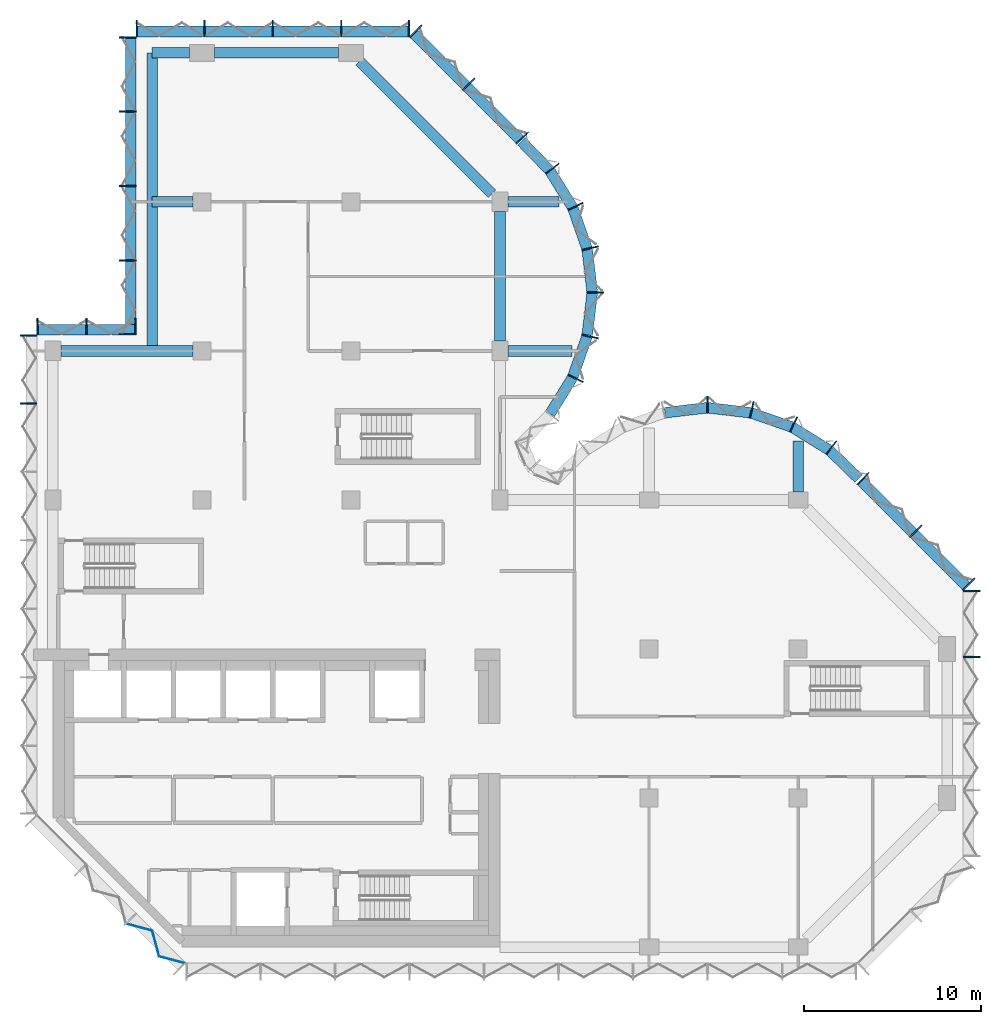
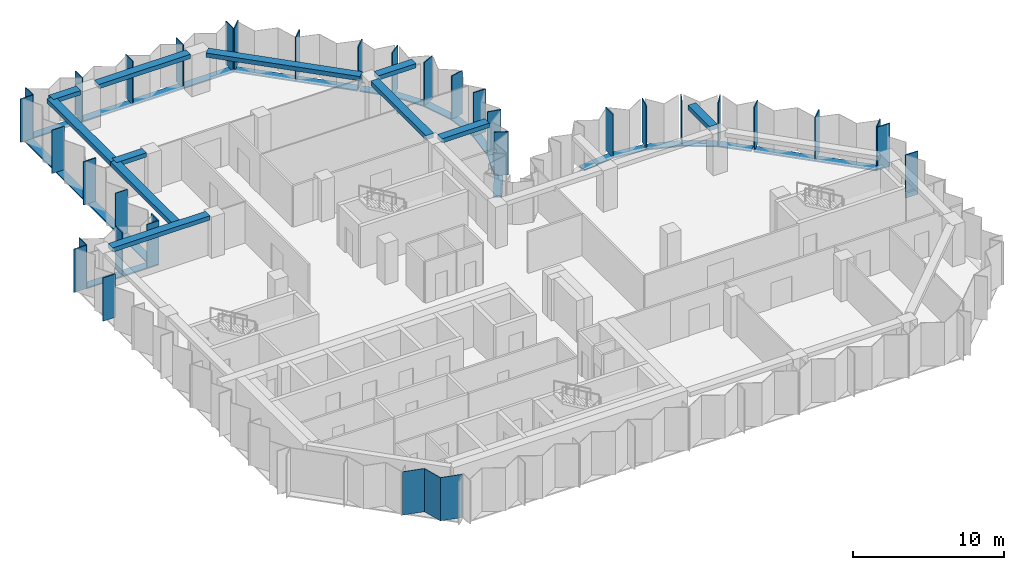
# One storey, part 2 of 9: 50 members, 11 beams, 1 plate, 10 elements without a shape of their own.
"""IFC4 building model written with IfcOpenShell, lengths in metres."""

from ifc_helpers import new_model, si_unit, direction, frame, origin, origin_2d, place, context, subcontext, project, spatial, polyline, rectangle, outline, extrude, material, layer, layer_set, material_profile, profile_set, type_object, element, aggregate, save


model = new_model("IFC4")

# Units and contexts
model_context = context("Model", 3, precision=1e-05, world=origin(), true_north=direction((0.0, 1.0)))
body_context = subcontext(model_context, "Body", "Model", "MODEL_VIEW")
ifc_project = project(units=[si_unit("LENGTHUNIT", "METRE"), si_unit("AREAUNIT", "SQUARE_METRE"), si_unit("VOLUMEUNIT", "CUBIC_METRE"), si_unit("PLANEANGLEUNIT", "RADIAN"), si_unit("MASSUNIT", "GRAM", prefix="KILO")], contexts=[model_context])

# Site, building, storey
site_placement = place(None, origin())
site = spatial("IfcSite", under=ifc_project, at=site_placement, CompositionType="ELEMENT")
building_placement = place(site_placement, origin())
building = spatial("IfcBuilding", under=site, at=building_placement, Name="Brevane Broadcast Tower", CompositionType="ELEMENT")
storey_placement = place(building_placement, frame((0.0, 0.0, 192.0)))
storey = spatial("IfcBuildingStorey", under=building, at=storey_placement, Name="L48", CompositionType="ELEMENT", Elevation=192.0)

# Curtain wall, members
ifc_material_1 = material(Name="Aluminium 6063-T6 bronze anodised", Category="aluminium")
curtain_wall_type = type_object("IfcCurtainWallType", Name="CW-1 curtain wall", PredefinedType="NOTDEFINED", material=ifc_material_1)
curtain_wall_1_placement = place(storey_placement, origin())
curtain_wall_1 = element("IfcCurtainWall", 1, at=curtain_wall_1_placement, inside=storey, type_object=curtain_wall_type, Name="CW-1 typical tilted unit L48 east end", PredefinedType="NOTDEFINED")
ifc_material_profile_1 = material_profile(ifc_material_1, rectangle(XDim=0.949951171875, YDim=0.070068359375, at=origin_2d()), Name="RECT 70x950")
ifc_profile_set_1 = profile_set([ifc_material_profile_1], Name="Aluminium 6063-T6 bronze anodised")
member_type_1 = type_object("IfcMemberType", Name="CW-1 mullion 70x950", PredefinedType="MULLION", material=ifc_profile_set_1)
member_1_placement = place(storey_placement, frame((51.77490234375, 16.35009765625, -0.14990234375), z_axis=(0.0, 0.0, 1.0), x_axis=(-1.0, 0.0, 0.0)))
member_1 = element("IfcMember", 2, at=member_1_placement, type_object=member_type_1, Name="CW-1 mullion", PredefinedType="MULLION", context=body_context, shape_type="SweptSolid", body=[
    extrude(rectangle(XDim=0.949951171875, YDim=0.070068359375, at=origin_2d()), origin(), (0.0, 0.0, 1.0), 3.5),
])
member_2_placement = place(storey_placement, frame((51.77490234375, 20.06494140625, -0.14990234375), z_axis=(0.0, 0.0, 1.0), x_axis=(-1.0, 0.0, 0.0)))
member_2 = element("IfcMember", 3, at=member_2_placement, type_object=member_type_1, Name="CW-1 mullion", PredefinedType="MULLION", context=body_context, shape_type="SweptSolid", body=[
    extrude(rectangle(XDim=0.949951171875, YDim=0.070068359375, at=origin_2d()), origin(), (0.0, 0.0, 1.0), 3.5),
])
aggregate(curtain_wall_1, [member_1, member_2])

curtain_wall_2_placement = place(storey_placement, origin())
curtain_wall_2 = element("IfcCurtainWall", 4, at=curtain_wall_2_placement, inside=storey, type_object=curtain_wall_type, Name="CW-1 typical tilted unit L48 north-east chamfer", PredefinedType="NOTDEFINED")
member_3_placement = place(storey_placement, frame((51.611083984375, 20.460693359375, -0.14990234375), z_axis=(0.0, 0.0, 1.0), x_axis=(-0.707106781187, -0.707106781187, 0.0)))
member_3 = element("IfcMember", 5, at=member_3_placement, type_object=member_type_1, Name="CW-1 mullion", PredefinedType="MULLION", context=body_context, shape_type="SweptSolid", body=[
    extrude(rectangle(XDim=0.949951171875, YDim=0.070068359375, at=origin_2d()), origin(), (0.0, 0.0, 1.0), 3.5),
])
member_4_placement = place(storey_placement, frame((48.635986328125, 23.435791015625, -0.14990234375), z_axis=(0.0, 0.0, 1.0), x_axis=(-0.707106781187, -0.707106781187, 0.0)))
member_4 = element("IfcMember", 6, at=member_4_placement, type_object=member_type_1, Name="CW-1 mullion", PredefinedType="MULLION", context=body_context, shape_type="SweptSolid", body=[
    extrude(rectangle(XDim=0.949951171875, YDim=0.070068359375, at=origin_2d()), origin(), (0.0, 0.0, 1.0), 3.5),
])
member_5_placement = place(storey_placement, frame((45.66064453125, 26.4111328125, -0.14990234375), z_axis=(0.0, 0.0, 1.0), x_axis=(-0.707106781187, -0.707106781187, 0.0)))
member_5 = element("IfcMember", 7, at=member_5_placement, type_object=member_type_1, Name="CW-1 mullion", PredefinedType="MULLION", context=body_context, shape_type="SweptSolid", body=[
    extrude(rectangle(XDim=0.949951171875, YDim=0.070068359375, at=origin_2d()), origin(), (0.0, 0.0, 1.0), 3.5),
])

curtain_wall_3_placement = place(storey_placement, origin())
curtain_wall_3 = element("IfcCurtainWall", 8, at=curtain_wall_3_placement, inside=storey, type_object=curtain_wall_type, Name="CW-1 typical tilted unit L48 east bow", PredefinedType="NOTDEFINED")
member_6_placement = place(storey_placement, frame((43.8720703125, 28.1455078125, -0.14990234375), z_axis=(0.0, 0.0, 1.0), x_axis=(-0.614769698862, -0.788706673841, 0.0)))
member_6 = element("IfcMember", 9, at=member_6_placement, type_object=member_type_1, Name="CW-1 mullion", PredefinedType="MULLION", context=body_context, shape_type="SweptSolid", body=[
    extrude(rectangle(XDim=0.949951171875, YDim=0.070068359375, at=origin_2d()), origin(), (0.0, 0.0, 1.0), 3.5),
])
member_7_placement = place(storey_placement, frame((41.746826171875, 29.4580078125, -0.14990234375), z_axis=(0.0, 0.0, 1.0), x_axis=(-0.429933580394, -0.902860518823, 0.0)))
member_7 = element("IfcMember", 10, at=member_7_placement, type_object=member_type_1, Name="CW-1 mullion", PredefinedType="MULLION", context=body_context, shape_type="SweptSolid", body=[
    extrude(rectangle(XDim=0.949951171875, YDim=0.070068359375, at=origin_2d()), origin(), (0.0, 0.0, 1.0), 3.5),
])
member_8_placement = place(storey_placement, frame((39.38818359375, 30.28076171875, -0.14990234375), z_axis=(0.0, 0.0, 1.0), x_axis=(-0.224806535479, -0.974403418306, 0.0)))
member_8 = element("IfcMember", 11, at=member_8_placement, type_object=member_type_1, Name="CW-1 mullion", PredefinedType="MULLION", context=body_context, shape_type="SweptSolid", body=[
    extrude(rectangle(XDim=0.949951171875, YDim=0.070068359375, at=origin_2d()), origin(), (0.0, 0.0, 1.0), 3.5),
])
member_9_placement = place(storey_placement, frame((36.89990234375, 30.574951171875, -0.14990234375), z_axis=(0.0, 0.0, 1.0), x_axis=(0.0, -1.0, 0.0)))
member_9 = element("IfcMember", 12, at=member_9_placement, type_object=member_type_1, Name="CW-1 mullion", PredefinedType="MULLION", context=body_context, shape_type="SweptSolid", body=[
    extrude(rectangle(XDim=0.949951171875, YDim=0.070068359375, at=origin_2d()), origin(), (0.0, 0.0, 1.0), 3.5),
])

curtain_wall_4_placement = place(storey_placement, origin())
curtain_wall_4 = element("IfcCurtainWall", 13, at=curtain_wall_4_placement, inside=storey, type_object=curtain_wall_type, Name="CW-1 typical tilted unit L48 north bow", PredefinedType="NOTDEFINED")
member_10_placement = place(storey_placement, frame((29.4580078125, 32.05322265625, -0.14990234375), z_axis=(0.0, 0.0, 1.0), x_axis=(-0.902860518823, 0.429933580394, 0.0)))
member_10 = element("IfcMember", 14, at=member_10_placement, type_object=member_type_1, Name="CW-1 mullion", PredefinedType="MULLION", context=body_context, shape_type="SweptSolid", body=[
    extrude(rectangle(XDim=0.949951171875, YDim=0.070068359375, at=origin_2d()), origin(), (0.0, 0.0, 1.0), 3.5),
])
member_11_placement = place(storey_placement, frame((30.28076171875, 34.411865234375, -0.14990234375), z_axis=(0.0, 0.0, 1.0), x_axis=(-0.974403418306, 0.224806535479, 0.0)))
member_11 = element("IfcMember", 15, at=member_11_placement, type_object=member_type_1, Name="CW-1 mullion", PredefinedType="MULLION", context=body_context, shape_type="SweptSolid", body=[
    extrude(rectangle(XDim=0.949951171875, YDim=0.070068359375, at=origin_2d()), origin(), (0.0, 0.0, 1.0), 3.5),
])
member_12_placement = place(storey_placement, frame((30.574951171875, 36.89990234375, -0.14990234375), z_axis=(0.0, 0.0, 1.0), x_axis=(-1.0, 0.0, 0.0)))
member_12 = element("IfcMember", 16, at=member_12_placement, type_object=member_type_1, Name="CW-1 mullion", PredefinedType="MULLION", context=body_context, shape_type="SweptSolid", body=[
    extrude(rectangle(XDim=0.949951171875, YDim=0.070068359375, at=origin_2d()), origin(), (0.0, 0.0, 1.0), 3.5),
])
member_13_placement = place(storey_placement, frame((30.28076171875, 39.38818359375, -0.14990234375), z_axis=(0.0, 0.0, 1.0), x_axis=(-0.974403418306, -0.224806535479, 0.0)))
member_13 = element("IfcMember", 17, at=member_13_placement, type_object=member_type_1, Name="CW-1 mullion", PredefinedType="MULLION", context=body_context, shape_type="SweptSolid", body=[
    extrude(rectangle(XDim=0.949951171875, YDim=0.070068359375, at=origin_2d()), origin(), (0.0, 0.0, 1.0), 3.5),
])
member_14_placement = place(storey_placement, frame((29.4580078125, 41.746826171875, -0.14990234375), z_axis=(0.0, 0.0, 1.0), x_axis=(-0.902860518823, -0.429933580394, 0.0)))
member_14 = element("IfcMember", 18, at=member_14_placement, type_object=member_type_1, Name="CW-1 mullion", PredefinedType="MULLION", context=body_context, shape_type="SweptSolid", body=[
    extrude(rectangle(XDim=0.949951171875, YDim=0.070068359375, at=origin_2d()), origin(), (0.0, 0.0, 1.0), 3.5),
])
member_15_placement = place(storey_placement, frame((28.1455078125, 43.8720703125, -0.14990234375), z_axis=(0.0, 0.0, 1.0), x_axis=(-0.788706673841, -0.614769698862, 0.0)))
member_15 = element("IfcMember", 19, at=member_15_placement, type_object=member_type_1, Name="CW-1 mullion", PredefinedType="MULLION", context=body_context, shape_type="SweptSolid", body=[
    extrude(rectangle(XDim=0.949951171875, YDim=0.070068359375, at=origin_2d()), origin(), (0.0, 0.0, 1.0), 3.5),
])
member_16_placement = place(storey_placement, frame((26.465087890625, 45.60595703125, -0.14990234375), z_axis=(0.0, 0.0, 1.0), x_axis=(-0.717253728729, -0.696812089895, 0.0)))
member_16 = element("IfcMember", 20, at=member_16_placement, type_object=member_type_1, Name="CW-1 mullion", PredefinedType="MULLION", context=body_context, shape_type="SweptSolid", body=[
    extrude(rectangle(XDim=0.949951171875, YDim=0.070068359375, at=origin_2d()), origin(), (0.0, 0.0, 1.0), 3.5),
])

curtain_wall_5_placement = place(storey_placement, origin())
curtain_wall_5 = element("IfcCurtainWall", 21, at=curtain_wall_5_placement, inside=storey, type_object=curtain_wall_type, Name="CW-1 typical tilted unit L48 north arm north-east chamfer", PredefinedType="NOTDEFINED")
member_17_placement = place(storey_placement, frame((23.435791015625, 48.635986328125, -0.14990234375), z_axis=(0.0, 0.0, 1.0), x_axis=(-0.707106781187, -0.707106781187, 0.0)))
member_17 = element("IfcMember", 22, at=member_17_placement, type_object=member_type_1, Name="CW-1 mullion", PredefinedType="MULLION", context=body_context, shape_type="SweptSolid", body=[
    extrude(rectangle(XDim=0.949951171875, YDim=0.070068359375, at=origin_2d()), origin(), (0.0, 0.0, 1.0), 3.5),
])
member_18_placement = place(storey_placement, frame((20.460693359375, 51.611083984375, -0.14990234375), z_axis=(0.0, 0.0, 1.0), x_axis=(-0.707106781187, -0.707106781187, 0.0)))
member_18 = element("IfcMember", 23, at=member_18_placement, type_object=member_type_1, Name="CW-1 mullion", PredefinedType="MULLION", context=body_context, shape_type="SweptSolid", body=[
    extrude(rectangle(XDim=0.949951171875, YDim=0.070068359375, at=origin_2d()), origin(), (0.0, 0.0, 1.0), 3.5),
])

curtain_wall_6_placement = place(storey_placement, origin())
curtain_wall_6 = element("IfcCurtainWall", 24, at=curtain_wall_6_placement, inside=storey, type_object=curtain_wall_type, Name="CW-1 typical tilted unit L48 north end", PredefinedType="NOTDEFINED")
member_19_placement = place(storey_placement, frame((20.06494140625, 51.77490234375, -0.14990234375), z_axis=(0.0, 0.0, 1.0), x_axis=(0.0, -1.0, 0.0)))
member_19 = element("IfcMember", 25, at=member_19_placement, type_object=member_type_1, Name="CW-1 mullion", PredefinedType="MULLION", context=body_context, shape_type="SweptSolid", body=[
    extrude(rectangle(XDim=0.949951171875, YDim=0.070068359375, at=origin_2d()), origin(), (0.0, 0.0, 1.0), 3.5),
])
member_20_placement = place(storey_placement, frame((16.25, 51.77490234375, -0.14990234375), z_axis=(0.0, 0.0, 1.0), x_axis=(0.0, -1.0, 0.0)))
member_20 = element("IfcMember", 26, at=member_20_placement, type_object=member_type_1, Name="CW-1 mullion", PredefinedType="MULLION", context=body_context, shape_type="SweptSolid", body=[
    extrude(rectangle(XDim=0.949951171875, YDim=0.070068359375, at=origin_2d()), origin(), (0.0, 0.0, 1.0), 3.5),
])
member_21_placement = place(storey_placement, frame((12.39990234375, 51.77490234375, -0.14990234375), z_axis=(0.0, 0.0, 1.0), x_axis=(0.0, -1.0, 0.0)))
member_21 = element("IfcMember", 27, at=member_21_placement, type_object=member_type_1, Name="CW-1 mullion", PredefinedType="MULLION", context=body_context, shape_type="SweptSolid", body=[
    extrude(rectangle(XDim=0.949951171875, YDim=0.070068359375, at=origin_2d()), origin(), (0.0, 0.0, 1.0), 3.5),
])
member_22_placement = place(storey_placement, frame((8.550048828125, 51.77490234375, -0.14990234375), z_axis=(0.0, 0.0, 1.0), x_axis=(0.0, -1.0, 0.0)))
member_22 = element("IfcMember", 28, at=member_22_placement, type_object=member_type_1, Name="CW-1 mullion", PredefinedType="MULLION", context=body_context, shape_type="SweptSolid", body=[
    extrude(rectangle(XDim=0.949951171875, YDim=0.070068359375, at=origin_2d()), origin(), (0.0, 0.0, 1.0), 3.5),
])
member_23_placement = place(storey_placement, frame((4.735107421875, 51.77490234375, -0.14990234375), z_axis=(0.0, 0.0, 1.0), x_axis=(0.0, -1.0, 0.0)))
member_23 = element("IfcMember", 29, at=member_23_placement, type_object=member_type_1, Name="CW-1 mullion", PredefinedType="MULLION", context=body_context, shape_type="SweptSolid", body=[
    extrude(rectangle(XDim=0.949951171875, YDim=0.070068359375, at=origin_2d()), origin(), (0.0, 0.0, 1.0), 3.5),
])

curtain_wall_7_placement = place(storey_placement, origin())
curtain_wall_7 = element("IfcCurtainWall", 30, at=curtain_wall_7_placement, inside=storey, type_object=curtain_wall_type, Name="CW-1 typical tilted unit L48 north wing west face, lower block", PredefinedType="NOTDEFINED")
member_24_placement = place(storey_placement, frame((4.22509765625, 51.264892578125, -0.14990234375), z_axis=(0.0, 0.0, 1.0), x_axis=(1.0, 0.0, 0.0)))
member_24 = element("IfcMember", 31, at=member_24_placement, type_object=member_type_1, Name="CW-1 mullion", PredefinedType="MULLION", context=body_context, shape_type="SweptSolid", body=[
    extrude(rectangle(XDim=0.949951171875, YDim=0.070068359375, at=origin_2d()), origin(), (0.0, 0.0, 1.0), 3.5),
])
member_25_placement = place(storey_placement, frame((4.22509765625, 47.10009765625, -0.14990234375), z_axis=(0.0, 0.0, 1.0), x_axis=(1.0, 0.0, 0.0)))
member_25 = element("IfcMember", 32, at=member_25_placement, type_object=member_type_1, Name="CW-1 mullion", PredefinedType="MULLION", context=body_context, shape_type="SweptSolid", body=[
    extrude(rectangle(XDim=0.949951171875, YDim=0.070068359375, at=origin_2d()), origin(), (0.0, 0.0, 1.0), 3.5),
])
member_26_placement = place(storey_placement, frame((4.22509765625, 42.89990234375, -0.14990234375), z_axis=(0.0, 0.0, 1.0), x_axis=(1.0, 0.0, 0.0)))
member_26 = element("IfcMember", 33, at=member_26_placement, type_object=member_type_1, Name="CW-1 mullion", PredefinedType="MULLION", context=body_context, shape_type="SweptSolid", body=[
    extrude(rectangle(XDim=0.949951171875, YDim=0.070068359375, at=origin_2d()), origin(), (0.0, 0.0, 1.0), 3.5),
])
member_27_placement = place(storey_placement, frame((4.22509765625, 38.699951171875, -0.14990234375), z_axis=(0.0, 0.0, 1.0), x_axis=(1.0, 0.0, 0.0)))
member_27 = element("IfcMember", 34, at=member_27_placement, type_object=member_type_1, Name="CW-1 mullion", PredefinedType="MULLION", context=body_context, shape_type="SweptSolid", body=[
    extrude(rectangle(XDim=0.949951171875, YDim=0.070068359375, at=origin_2d()), origin(), (0.0, 0.0, 1.0), 3.5),
])
member_28_placement = place(storey_placement, frame((4.22509765625, 34.534912109375, -0.14990234375), z_axis=(0.0, 0.0, 1.0), x_axis=(1.0, 0.0, 0.0)))
member_28 = element("IfcMember", 35, at=member_28_placement, type_object=member_type_1, Name="CW-1 mullion", PredefinedType="MULLION", context=body_context, shape_type="SweptSolid", body=[
    extrude(rectangle(XDim=0.949951171875, YDim=0.070068359375, at=origin_2d()), origin(), (0.0, 0.0, 1.0), 3.5),
])

curtain_wall_8_placement = place(storey_placement, origin())
curtain_wall_8 = element("IfcCurtainWall", 36, at=curtain_wall_8_placement, inside=storey, type_object=curtain_wall_type, Name="CW-1 typical tilted unit L48 north wing west return, lower block", PredefinedType="NOTDEFINED")
member_29_placement = place(storey_placement, frame((4.6650390625, 34.97509765625, -0.14990234375), z_axis=(0.0, 0.0, 1.0), x_axis=(0.0, -1.0, 0.0)))
member_29 = element("IfcMember", 37, at=member_29_placement, type_object=member_type_1, Name="CW-1 mullion", PredefinedType="MULLION", context=body_context, shape_type="SweptSolid", body=[
    extrude(rectangle(XDim=0.949951171875, YDim=0.070068359375, at=origin_2d()), origin(), (0.0, 0.0, 1.0), 3.5),
])
member_30_placement = place(storey_placement, frame((1.89990234375, 34.97509765625, -0.14990234375), z_axis=(0.0, 0.0, 1.0), x_axis=(0.0, -1.0, 0.0)))
member_30 = element("IfcMember", 38, at=member_30_placement, type_object=member_type_1, Name="CW-1 mullion", PredefinedType="MULLION", context=body_context, shape_type="SweptSolid", body=[
    extrude(rectangle(XDim=0.949951171875, YDim=0.070068359375, at=origin_2d()), origin(), (0.0, 0.0, 1.0), 3.5),
])
member_31_placement = place(storey_placement, frame((-0.864990234375, 34.97509765625, -0.14990234375), z_axis=(0.0, 0.0, 1.0), x_axis=(0.0, -1.0, 0.0)))
member_31 = element("IfcMember", 39, at=member_31_placement, type_object=member_type_1, Name="CW-1 mullion", PredefinedType="MULLION", context=body_context, shape_type="SweptSolid", body=[
    extrude(rectangle(XDim=0.949951171875, YDim=0.070068359375, at=origin_2d()), origin(), (0.0, 0.0, 1.0), 3.5),
])

curtain_wall_9_placement = place(storey_placement, origin())
curtain_wall_9 = element("IfcCurtainWall", 40, at=curtain_wall_9_placement, inside=storey, type_object=curtain_wall_type, Name="CW-1 typical tilted unit L48 west face", PredefinedType="NOTDEFINED")
member_32_placement = place(storey_placement, frame((-1.375, 34.465087890625, -0.14990234375), z_axis=(0.0, 0.0, 1.0), x_axis=(1.0, 0.0, 0.0)))
member_32 = element("IfcMember", 41, at=member_32_placement, type_object=member_type_1, Name="CW-1 mullion", PredefinedType="MULLION", context=body_context, shape_type="SweptSolid", body=[
    extrude(rectangle(XDim=0.949951171875, YDim=0.070068359375, at=origin_2d()), origin(), (0.0, 0.0, 1.0), 3.5),
])
member_33_placement = place(storey_placement, frame((-1.375, 30.642822265625, -0.14990234375), z_axis=(0.0, 0.0, 1.0), x_axis=(1.0, 0.0, 0.0)))
member_33 = element("IfcMember", 42, at=member_33_placement, type_object=member_type_1, Name="CW-1 mullion", PredefinedType="MULLION", context=body_context, shape_type="SweptSolid", body=[
    extrude(rectangle(XDim=0.949951171875, YDim=0.070068359375, at=origin_2d()), origin(), (0.0, 0.0, 1.0), 3.5),
])
aggregate(curtain_wall_9, [member_32, member_33])

# Member
ifc_material_profile_2 = material_profile(ifc_material_1, rectangle(XDim=0.60009765625, YDim=0.10009765625, at=origin_2d()), Name="RECT 100x600")
ifc_profile_set_2 = profile_set([ifc_material_profile_2], Name="Aluminium 6063-T6 bronze anodised")
member_type_2 = type_object("IfcMemberType", Name="CW-1 transom 100x600", PredefinedType="USERDEFINED", material=ifc_profile_set_2)
member_34_placement = place(storey_placement, frame((51.51220703125, 20.31201171875, -0.199951171875), z_axis=(-0.707106781187, 0.707106781187, 0.0), x_axis=(-0.707106781187, -0.707106781187, 0.0)))
member_34 = element("IfcMember", 43, at=member_34_placement, type_object=member_type_2, Name="CW-1 transom", ObjectType="TRANSOM", PredefinedType="USERDEFINED", context=body_context, shape_type="SweptSolid", body=[
    extrude(rectangle(XDim=0.60009765625, YDim=0.10009765625, at=origin_2d()), origin(), (0.0, 0.0, 1.0), 8.4853515625),
])

aggregate(curtain_wall_2, [member_3, member_4, member_5, member_34])

member_35_placement = place(storey_placement, frame((45.412841796875, 26.407958984375, -0.199951171875), z_axis=(-0.71724215871, 0.696823999134, 0.0), x_axis=(-0.696823999134, -0.71724215871, 0.0)))
member_35 = element("IfcMember", 44, at=member_35_placement, type_object=member_type_2, Name="CW-1 transom", ObjectType="TRANSOM", PredefinedType="USERDEFINED", context=body_context, shape_type="SweptSolid", body=[
    extrude(rectangle(XDim=0.60009765625, YDim=0.10009765625, at=origin_2d()), origin(), (0.0, 0.0, 1.0), 2.247802734375),
])

member_36_placement = place(storey_placement, frame((43.7421875, 28.023193359375, -0.199951171875), z_axis=(-0.850810063131, 0.525473345162, 0.0), x_axis=(-0.525473345162, -0.850810063131, 0.0)))
member_36 = element("IfcMember", 45, at=member_36_placement, type_object=member_type_2, Name="CW-1 transom", ObjectType="TRANSOM", PredefinedType="USERDEFINED", context=body_context, shape_type="SweptSolid", body=[
    extrude(rectangle(XDim=0.60009765625, YDim=0.10009765625, at=origin_2d()), origin(), (0.0, 0.0, 1.0), 2.39453125),
])

member_37_placement = place(storey_placement, frame((41.63623046875, 29.314208984375, -0.199951171875), z_axis=(-0.944197969542, 0.329378497041, 0.0), x_axis=(-0.329378497041, -0.944197969542, 0.0)))
member_37 = element("IfcMember", 46, at=member_37_placement, type_object=member_type_2, Name="CW-1 transom", ObjectType="TRANSOM", PredefinedType="USERDEFINED", context=body_context, shape_type="SweptSolid", body=[
    extrude(rectangle(XDim=0.60009765625, YDim=0.10009765625, at=origin_2d()), origin(), (0.0, 0.0, 1.0), 2.394775390625),
])

member_38_placement = place(storey_placement, frame((39.30029296875, 30.117431640625, -0.199951171875), z_axis=(-0.993062061831, 0.117591417, 0.0), x_axis=(-0.117591417, -0.993062061831, 0.0)))
member_38 = element("IfcMember", 47, at=member_38_placement, type_object=member_type_2, Name="CW-1 transom", ObjectType="TRANSOM", PredefinedType="USERDEFINED", context=body_context, shape_type="SweptSolid", body=[
    extrude(rectangle(XDim=0.60009765625, YDim=0.10009765625, at=origin_2d()), origin(), (0.0, 0.0, 1.0), 2.39794921875),
])

member_39_placement = place(storey_placement, frame((36.880859375, 30.3994140625, -0.199951171875), z_axis=(-0.993060653805, -0.117603307202, 0.0), x_axis=(0.117603307202, -0.993060653805, 0.0)))
member_39 = element("IfcMember", 48, at=member_39_placement, type_object=member_type_2, Name="CW-1 transom", ObjectType="TRANSOM", PredefinedType="USERDEFINED", context=body_context, shape_type="SweptSolid", body=[
    extrude(rectangle(XDim=0.60009765625, YDim=0.10009765625, at=origin_2d()), origin(), (0.0, 0.0, 1.0), 2.397705078125),
])

aggregate(curtain_wall_3, [member_6, member_7, member_8, member_9, member_35, member_36, member_37, member_38, member_39])

member_40_placement = place(storey_placement, frame((28.023193359375, 30.0576171875, -0.199951171875), z_axis=(0.525427766759, 0.850838211365, 0.0), x_axis=(-0.850838211365, 0.525427766759, 0.0)))
member_40 = element("IfcMember", 49, at=member_40_placement, type_object=member_type_2, Name="CW-1 transom", ObjectType="TRANSOM", PredefinedType="USERDEFINED", context=body_context, shape_type="SweptSolid", body=[
    extrude(rectangle(XDim=0.60009765625, YDim=0.10009765625, at=origin_2d()), origin(), (0.0, 0.0, 1.0), 2.394775390625),
])

member_41_placement = place(storey_placement, frame((29.314208984375, 32.163818359375, -0.199951171875), z_axis=(0.329378497041, 0.944197969542, 0.0), x_axis=(-0.944197969542, 0.329378497041, 0.0)))
member_41 = element("IfcMember", 50, at=member_41_placement, type_object=member_type_2, Name="CW-1 transom", ObjectType="TRANSOM", PredefinedType="USERDEFINED", context=body_context, shape_type="SweptSolid", body=[
    extrude(rectangle(XDim=0.60009765625, YDim=0.10009765625, at=origin_2d()), origin(), (0.0, 0.0, 1.0), 2.394775390625),
])

member_42_placement = place(storey_placement, frame((30.117431640625, 34.499755859375, -0.199951171875), z_axis=(0.117603307202, 0.993060653805, 0.0), x_axis=(-0.993060653805, 0.117603307202, 0.0)))
member_42 = element("IfcMember", 51, at=member_42_placement, type_object=member_type_2, Name="CW-1 transom", ObjectType="TRANSOM", PredefinedType="USERDEFINED", context=body_context, shape_type="SweptSolid", body=[
    extrude(rectangle(XDim=0.60009765625, YDim=0.10009765625, at=origin_2d()), origin(), (0.0, 0.0, 1.0), 2.397705078125),
])

member_43_placement = place(storey_placement, frame((30.3994140625, 36.9189453125, -0.199951171875), z_axis=(-0.117591417, 0.993062061831, 0.0), x_axis=(-0.993062061831, -0.117591417, 0.0)))
member_43 = element("IfcMember", 52, at=member_43_placement, type_object=member_type_2, Name="CW-1 transom", ObjectType="TRANSOM", PredefinedType="USERDEFINED", context=body_context, shape_type="SweptSolid", body=[
    extrude(rectangle(XDim=0.60009765625, YDim=0.10009765625, at=origin_2d()), origin(), (0.0, 0.0, 1.0), 2.39794921875),
])

member_44_placement = place(storey_placement, frame((30.10302734375, 39.375, -0.199951171875), z_axis=(-0.329378497041, 0.944197969542, 0.0), x_axis=(-0.944197969542, -0.329378497041, 0.0)))
member_44 = element("IfcMember", 53, at=member_44_placement, type_object=member_type_2, Name="CW-1 transom", ObjectType="TRANSOM", PredefinedType="USERDEFINED", context=body_context, shape_type="SweptSolid", body=[
    extrude(rectangle(XDim=0.60009765625, YDim=0.10009765625, at=origin_2d()), origin(), (0.0, 0.0, 1.0), 2.394775390625),
])

member_45_placement = place(storey_placement, frame((29.281494140625, 41.704833984375, -0.199951171875), z_axis=(-0.525473345162, 0.850810063131, 0.0), x_axis=(-0.850810063131, -0.525473345162, 0.0)))
member_45 = element("IfcMember", 54, at=member_45_placement, type_object=member_type_2, Name="CW-1 transom", ObjectType="TRANSOM", PredefinedType="USERDEFINED", context=body_context, shape_type="SweptSolid", body=[
    extrude(rectangle(XDim=0.60009765625, YDim=0.10009765625, at=origin_2d()), origin(), (0.0, 0.0, 1.0), 2.39453125),
])

member_46_placement = place(storey_placement, frame((27.974365234375, 43.800537109375, -0.199951171875), z_axis=(-0.696823999134, 0.71724215871, 0.0), x_axis=(-0.71724215871, -0.696823999134, 0.0)))
member_46 = element("IfcMember", 55, at=member_46_placement, type_object=member_type_2, Name="CW-1 transom", ObjectType="TRANSOM", PredefinedType="USERDEFINED", context=body_context, shape_type="SweptSolid", body=[
    extrude(rectangle(XDim=0.60009765625, YDim=0.10009765625, at=origin_2d()), origin(), (0.0, 0.0, 1.0), 2.247802734375),
])

aggregate(curtain_wall_4, [member_10, member_11, member_12, member_13, member_14, member_15, member_16, member_40, member_41, member_42, member_43, member_44, member_45, member_46])

member_47_placement = place(storey_placement, frame((26.31201171875, 45.51220703125, -0.199951171875), z_axis=(-0.707106781187, 0.707106781187, 0.0), x_axis=(-0.707106781187, -0.707106781187, 0.0)))
member_47 = element("IfcMember", 56, at=member_47_placement, type_object=member_type_2, Name="CW-1 transom", ObjectType="TRANSOM", PredefinedType="USERDEFINED", context=body_context, shape_type="SweptSolid", body=[
    extrude(rectangle(XDim=0.60009765625, YDim=0.10009765625, at=origin_2d()), origin(), (0.0, 0.0, 1.0), 8.4853515625),
])

aggregate(curtain_wall_5, [member_17, member_18, member_47])

member_48_placement = place(storey_placement, frame((20.10009765625, 51.60009765625, -0.199951171875), z_axis=(-1.0, 0.0, 0.0), x_axis=(0.0, -1.0, 0.0)))
member_48 = element("IfcMember", 57, at=member_48_placement, type_object=member_type_2, Name="CW-1 transom", ObjectType="TRANSOM", PredefinedType="USERDEFINED", context=body_context, shape_type="SweptSolid", body=[
    extrude(rectangle(XDim=0.60009765625, YDim=0.10009765625, at=origin_2d()), origin(), (0.0, 0.0, 1.0), 15.400146484375),
])

aggregate(curtain_wall_6, [member_19, member_20, member_21, member_22, member_23, member_48])

member_49_placement = place(storey_placement, frame((4.39990234375, 51.300048828125, -0.199951171875), z_axis=(0.0, -1.0, 0.0), x_axis=(1.0, 0.0, 0.0)))
member_49 = element("IfcMember", 58, at=member_49_placement, type_object=member_type_2, Name="CW-1 transom", ObjectType="TRANSOM", PredefinedType="USERDEFINED", context=body_context, shape_type="SweptSolid", body=[
    extrude(rectangle(XDim=0.60009765625, YDim=0.10009765625, at=origin_2d()), origin(), (0.0, 0.0, 1.0), 16.800048828125),
])

aggregate(curtain_wall_7, [member_24, member_25, member_26, member_27, member_28, member_49])

member_50_placement = place(storey_placement, frame((4.699951171875, 34.800048828125, -0.199951171875), z_axis=(-1.0, 0.0, 0.0), x_axis=(0.0, -1.0, 0.0)))
member_50 = element("IfcMember", 59, at=member_50_placement, type_object=member_type_2, Name="CW-1 transom", ObjectType="TRANSOM", PredefinedType="USERDEFINED", context=body_context, shape_type="SweptSolid", body=[
    extrude(rectangle(XDim=0.60009765625, YDim=0.10009765625, at=origin_2d()), origin(), (0.0, 0.0, 1.0), 5.599853515625),
])

aggregate(curtain_wall_8, [member_29, member_30, member_31, member_50])

# Beams
ifc_material_2 = material(Name="Concrete C40/50", Category="concrete")
ifc_material_profile_3 = material_profile(ifc_material_2, rectangle(XDim=0.60009765625, YDim=0.35009765625, at=origin_2d()), Name="RC 600x350")
ifc_profile_set_3 = profile_set([ifc_material_profile_3], Name="Concrete C40/50")
beam_type_1 = type_object("IfcBeamType", Name="RC BRACKET BEAM 600x350 C40/50", PredefinedType="BEAM", material=ifc_profile_set_3)
beam_1_placement = place(storey_placement, frame((25.64990234375, 33.60009765625, 3.175048828125), z_axis=(1.0, 0.0, 0.0), x_axis=(0.0, 1.0, 0.0)))
element("IfcBeam", 60, at=beam_1_placement, inside=storey, type_object=beam_type_1, Name="EB2 L48-1", PredefinedType="BEAM", context=body_context, shape_type="SweptSolid", body=[
    extrude(rectangle(XDim=0.60009765625, YDim=0.35009765625, at=origin_2d()), origin(), (0.0, 0.0, 1.0), 3.612060546875),
])
for number, where, z_axis, x_axis, name in (
    (61, (25.64990234375, 42.0, 3.175048828125), (1.0, 0.0, 0.0), (0.0, 1.0, 0.0), "EB2 L48-2"),
    (62, (42.0, 25.64990234375, 3.175048828125), (0.0, 1.0, 0.0), (-1.0, 0.0, 0.0), "EB2 L48-4"),
):
    element("IfcBeam", number, at=place(storey_placement, frame(where, z_axis=z_axis, x_axis=x_axis)), inside=storey, type_object=beam_type_1, Name=name, PredefinedType="BEAM", context=body_context, shape_type="SweptSolid", body=[
        extrude(rectangle(XDim=0.60009765625, YDim=0.35009765625, at=origin_2d()), origin(), (0.0, 0.0, 1.0), 2.861572265625),
    ])
beam_2_placement = place(storey_placement, frame((7.89990234375, 42.0, 3.175048828125), z_axis=(-1.0, 0.0, 0.0), x_axis=(0.0, -1.0, 0.0)))
element("IfcBeam", 63, at=beam_2_placement, inside=storey, type_object=beam_type_1, Name="EB2 L48-5", PredefinedType="BEAM", context=body_context, shape_type="SweptSolid", body=[
    extrude(rectangle(XDim=0.60009765625, YDim=0.35009765625, at=origin_2d()), origin(), (0.0, 0.0, 1.0), 2.2998046875),
])
ifc_material_profile_4 = material_profile(ifc_material_2, rectangle(XDim=0.60009765625, YDim=0.35009765625, at=origin_2d()), Name="RC 600x350")
ifc_profile_set_4 = profile_set([ifc_material_profile_4], Name="Concrete C40/50")
beam_type_2 = type_object("IfcBeamType", Name="RC SPANDREL BEAM 600x350 C40/50", PredefinedType="SPANDREL", material=ifc_profile_set_4)
beam_3_placement = place(storey_placement, frame((25.199951171875, 34.14990234375, 3.175048828125), z_axis=(0.0, 1.0, 0.0), x_axis=(-1.0, 0.0, 0.0)))
element("IfcBeam", 64, at=beam_3_placement, inside=storey, type_object=beam_type_2, Name="EB1 L48-9", PredefinedType="SPANDREL", context=body_context, shape_type="SweptSolid", body=[
    extrude(rectangle(XDim=0.60009765625, YDim=0.35009765625, at=origin_2d()), origin(), (0.0, 0.0, 1.0), 7.300048828125),
])
beam_4_placement = place(storey_placement, frame((24.75, 42.449951171875, 3.175048828125), z_axis=(-0.707106781187, 0.707106781187, 0.0), x_axis=(-0.707106781187, -0.707106781187, 0.0)))
element("IfcBeam", 65, at=beam_4_placement, inside=storey, type_object=beam_type_2, Name="EB1 L48-10", PredefinedType="SPANDREL", context=body_context, shape_type="SweptSolid", body=[
    extrude(rectangle(XDim=0.60009765625, YDim=0.35009765625, at=origin_2d()), origin(), (0.0, 0.0, 1.0), 10.5712890625),
])
beam_5_placement = place(storey_placement, frame((16.10009765625, 50.39990234375, 3.175048828125), z_axis=(-1.0, 0.0, 0.0), x_axis=(0.0, -1.0, 0.0)))
element("IfcBeam", 66, at=beam_5_placement, inside=storey, type_object=beam_type_2, Name="EB1 L48-11", PredefinedType="SPANDREL", context=body_context, shape_type="SweptSolid", body=[
    extrude(rectangle(XDim=0.60009765625, YDim=0.35009765625, at=origin_2d()), origin(), (0.0, 0.0, 1.0), 7.0),
])
beam_6_placement = place(storey_placement, frame((0.449951171875, 33.60009765625, 3.175048828125), z_axis=(1.0, 0.0, 0.0), x_axis=(0.0, 1.0, 0.0)))
element("IfcBeam", 67, at=beam_6_placement, inside=storey, type_object=beam_type_2, Name="EB1 L48-14", PredefinedType="SPANDREL", context=body_context, shape_type="SweptSolid", body=[
    extrude(rectangle(XDim=0.60009765625, YDim=0.35009765625, at=origin_2d()), origin(), (0.0, 0.0, 1.0), 7.449951171875),
])
for number, where, z_axis, x_axis, name in (
    (68, (5.60009765625, 33.60009765625, 3.175048828125), (0.0, 1.0, 0.0), (-1.0, 0.0, 0.0), "EB1 L48-15"),
    (69, (5.60009765625, 42.0, 3.175048828125), (0.0, 1.0, 0.0), (-1.0, 0.0, 0.0), "EB1 L48-16"),
):
    element("IfcBeam", number, at=place(storey_placement, frame(where, z_axis=z_axis, x_axis=x_axis)), inside=storey, type_object=beam_type_2, Name=name, PredefinedType="SPANDREL", context=body_context, shape_type="SweptSolid", body=[
        extrude(rectangle(XDim=0.60009765625, YDim=0.35009765625, at=origin_2d()), origin(), (0.0, 0.0, 1.0), 8.39990234375),
    ])
beam_7_placement = place(storey_placement, frame((5.60009765625, 50.39990234375, 3.175048828125), z_axis=(1.0, 0.0, 0.0), x_axis=(0.0, 1.0, 0.0)))
element("IfcBeam", 70, at=beam_7_placement, inside=storey, type_object=beam_type_2, Name="EB1 L48-17", PredefinedType="SPANDREL", context=body_context, shape_type="SweptSolid", body=[
    extrude(rectangle(XDim=0.60009765625, YDim=0.35009765625, at=origin_2d()), origin(), (0.0, 0.0, 1.0), 2.099853515625),
])

# Curtain wall, plate
curtain_wall_10_placement = place(storey_placement, origin())
curtain_wall_10 = element("IfcCurtainWall", 71, at=curtain_wall_10_placement, inside=storey, type_object=curtain_wall_type, Name="CW-1 typical tilted unit L48 south-west chamfer", PredefinedType="NOTDEFINED")
ifc_material_3 = material(Name="Laminated glass bronze-tinted", Category="glass")
ifc_layer = layer(ifc_material_3, 0.0400390625)
ifc_layer_set = layer_set([ifc_layer], Name="CW tall glass panel 40")
plate_type = type_object("IfcPlateType", Name="CW tall glass panel 40", PredefinedType="CURTAIN_PANEL", material=ifc_layer_set)
plate_placement = place(storey_placement, frame((0.0, 0.0, -0.14990234375)))
plate = element("IfcPlate", 72, at=plate_placement, type_object=plate_type, Name="CW-1 glass panel", PredefinedType="CURTAIN_PANEL", context=body_context, shape_type="SweptSolid", body=[
    extrude(outline(polyline([(4.17919921875, 1.329833984375), (4.146728515625, 1.297119140625), (5.58984375, 0.90673828125), (5.98046875, -0.536376953125), (7.423583984375, -0.927001953125), (7.456298828125, -0.894287109375), (6.012939453125, -0.50390625), (5.62255859375, 0.939453125), (4.17919921875, 1.329833984375)])), origin(), (0.0, 0.0, 1.0), 3.5),
])
aggregate(curtain_wall_10, [plate])

save(model, "model.ifc")
